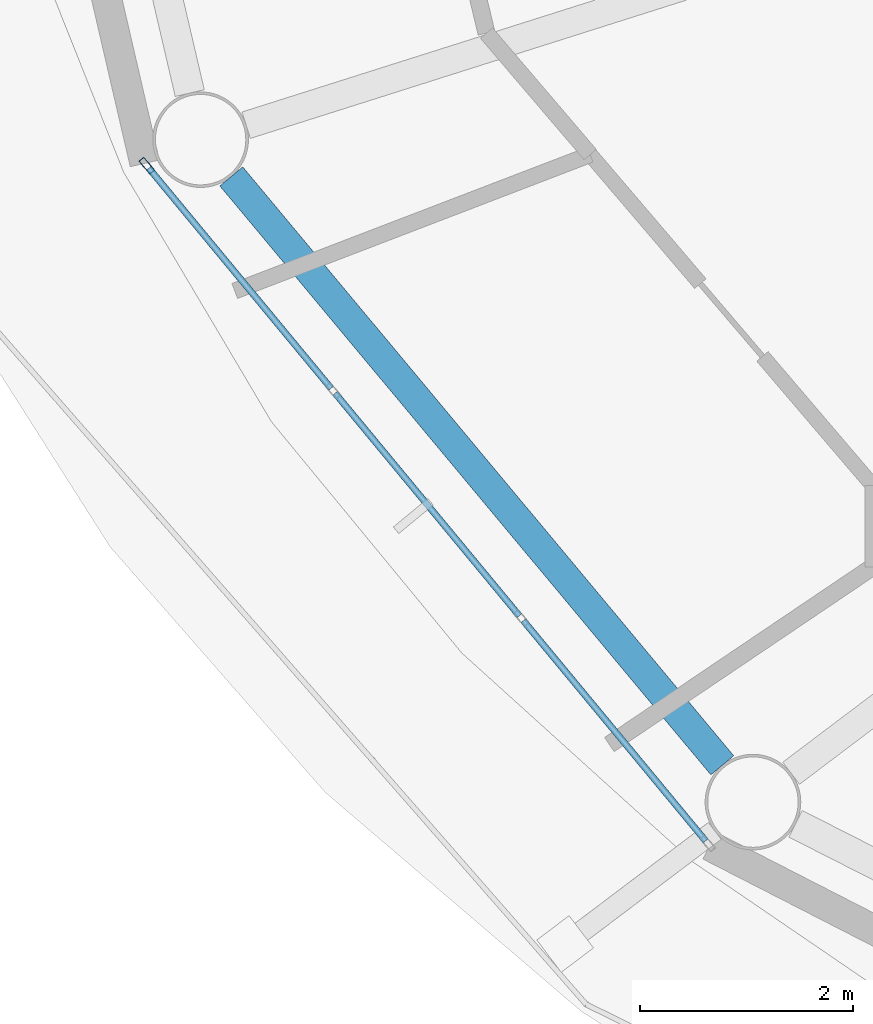
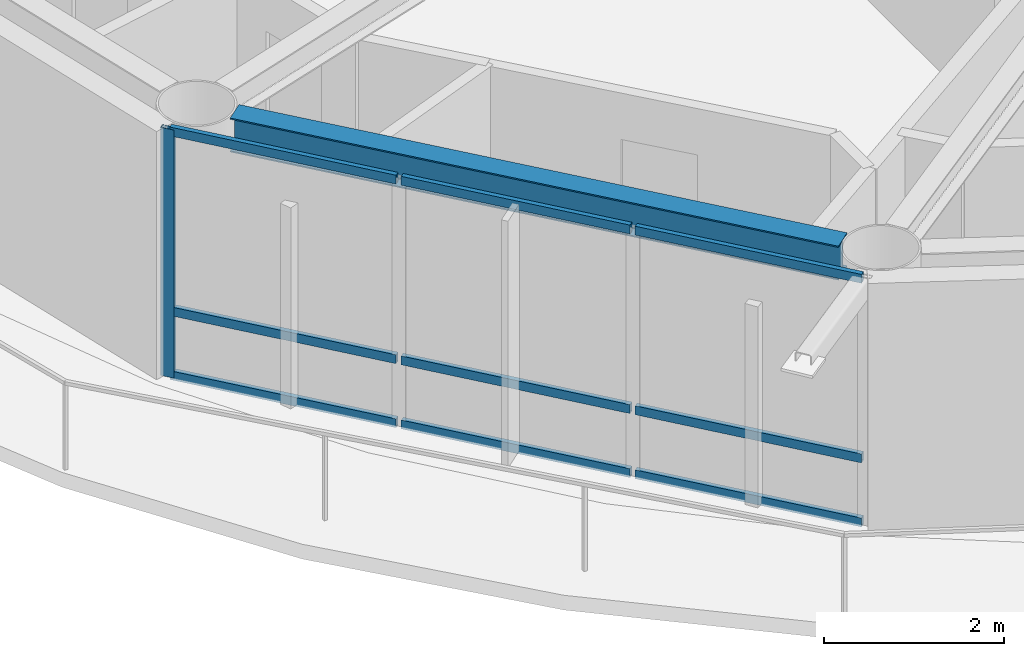
# One storey, part 3 of 22: 10 members, 1 beam, 1 element without a shape of its own.
"""IFC4 building model written with IfcOpenShell, lengths in metres."""

from ifc_helpers import new_model, si_unit, direction, frame, origin, origin_2d, place, context, subcontext, project, spatial, hollow_rectangle, i_section, extrude, material, layer, layer_set, material_profile, profile_set, type_object, element, aggregate, save


model = new_model("IFC4")

# Units and contexts
model_context = context("Model", 3, precision=1e-05, world=origin(), true_north=direction((0.0, 1.0)))
body_context = subcontext(model_context, "Body", "Model", "MODEL_VIEW")
ifc_project = project(units=[si_unit("LENGTHUNIT", "METRE"), si_unit("AREAUNIT", "SQUARE_METRE"), si_unit("VOLUMEUNIT", "CUBIC_METRE"), si_unit("PLANEANGLEUNIT", "RADIAN"), si_unit("MASSUNIT", "GRAM", prefix="KILO")], contexts=[model_context])

# Site, building, storey
site_placement = place(None, origin())
site = spatial("IfcSite", under=ifc_project, at=site_placement, CompositionType="ELEMENT")
building_placement = place(site_placement, origin())
building = spatial("IfcBuilding", under=site, at=building_placement, Name="Sarneth Arch Tower", CompositionType="ELEMENT")
storey_placement = place(building_placement, frame((0.0, 0.0, 294.60009765625)))
storey = spatial("IfcBuildingStorey", under=building, at=storey_placement, Name="L76", CompositionType="ELEMENT", Elevation=294.60009765625)

# Beam
ifc_material_1 = material(Name="Steel S355", Category="steel")
ifc_material_profile_1 = material_profile(ifc_material_1, i_section(OverallWidth=0.280029296875, OverallDepth=0.462890625, WebThickness=0.0107421875, FlangeThickness=0.017333984375, FilletRadius=0.01806640625, at=origin_2d()), Name="W460x113")
ifc_profile_set_1 = profile_set([ifc_material_profile_1], Name="Steel S355")
beam_type = type_object("IfcBeamType", Name="BM-RAD-460A", PredefinedType="BEAM", material=ifc_profile_set_1)
beam_placement = place(storey_placement, frame((25.119384765625, 34.306884765625, 3.138427734375), z_axis=(0.640390876881, -0.768049168222, 0.0), x_axis=(0.768049168222, 0.640390876881, 0.0)))
element("IfcBeam", 1, at=beam_placement, inside=storey, type_object=beam_type, Name="L76 Perimeter spandrel beam 10", PredefinedType="BEAM", context=body_context, shape_type="SweptSolid", body=[
    extrude(i_section(OverallWidth=0.280029296875, OverallDepth=0.462890625, WebThickness=0.0107421875, FlangeThickness=0.017333984375, FilletRadius=0.01806640625, at=origin_2d()), origin(), (0.0, 0.0, 1.0), 7.2099609375),
])

# Curtain wall, members
ifc_material_2 = material(Name="Anodised aluminium Type AA25 and solar-control low-e laminated IGU", Category="aluminium")
ifc_layer = layer(ifc_material_2, 0.179931640625)
ifc_layer_set = layer_set([ifc_layer], Name="Anodised aluminium Type AA25 and solar-control low-e laminated IGU")
curtain_wall_type = type_object("IfcCurtainWallType", Name="CW-RES-HIGH", PredefinedType="NOTDEFINED", material=ifc_layer_set)
curtain_wall_placement = place(storey_placement, origin())
curtain_wall = element("IfcCurtainWall", 2, at=curtain_wall_placement, inside=storey, type_object=curtain_wall_type, Name="L76 Unitised curtain wall facet 10", PredefinedType="NOTDEFINED")
ifc_material_3 = material(Name="Anodised Aluminium 6063-T6", Category="aluminium")
ifc_material_profile_2 = material_profile(ifc_material_3, hollow_rectangle(XDim=0.06005859375, YDim=0.159912109375, WallThickness=0.00390625, at=origin_2d()), Name="AL-MULL-160x60x4")
ifc_profile_set_2 = profile_set([ifc_material_profile_2], Name="Anodised Aluminium 6063-T6")
member_type_1 = type_object("IfcMemberType", Name="CW-MULLION", PredefinedType="MULLION", material=ifc_profile_set_2)
member_1_placement = place(storey_placement, frame((24.325439453125, 34.407470703125, 0.0), z_axis=(0.0, 0.0, 1.0), x_axis=(0.770359245933, 0.637610094184, 0.0)))
member_1 = element("IfcMember", 3, at=member_1_placement, type_object=member_type_1, Name="CW-SYS-6 mullion 1", PredefinedType="MULLION", context=body_context, shape_type="SweptSolid", body=[
    extrude(hollow_rectangle(XDim=0.06005859375, YDim=0.159912109375, WallThickness=0.00390625, at=origin_2d()), origin(), (0.0, 0.0, 1.0), 3.369873046875),
])
ifc_material_4 = material(Name="Anodised Aluminium 6063-T6", Category="aluminium")
ifc_material_profile_3 = material_profile(ifc_material_4, hollow_rectangle(XDim=0.06005859375, YDim=0.1201171875, WallThickness=0.00390625, at=origin_2d()), Name="AL-TRAN-120x60x4")
ifc_profile_set_3 = profile_set([ifc_material_profile_3], Name="Anodised Aluminium 6063-T6")
member_type_2 = type_object("IfcMemberType", Name="CW-TRANSOM", PredefinedType="USERDEFINED", material=ifc_profile_set_3)
member_2_placement = place(storey_placement, frame((24.344482421875, 34.38427734375, 0.02978515625), z_axis=(0.637651400067, -0.770325056059, 0.0), x_axis=(0.770325056059, 0.637651400067, 0.0)))
member_2 = element("IfcMember", 4, at=member_2_placement, type_object=member_type_2, Name="CW-SYS-6 transom 1.1", ObjectType="TRANSOM", PredefinedType="USERDEFINED", context=body_context, shape_type="SweptSolid", body=[
    extrude(hollow_rectangle(XDim=0.06005859375, YDim=0.1201171875, WallThickness=0.00390625, at=origin_2d()), origin(), (0.0, 0.0, 1.0), 2.6865234375),
])
member_3_placement = place(storey_placement, frame((24.344482421875, 34.38427734375, 0.89990234375), z_axis=(0.637651400067, -0.770325056059, 0.0), x_axis=(0.770325056059, 0.637651400067, 0.0)))
member_3 = element("IfcMember", 5, at=member_3_placement, type_object=member_type_2, Name="CW-SYS-6 transom 1.2", ObjectType="TRANSOM", PredefinedType="USERDEFINED", context=body_context, shape_type="SweptSolid", body=[
    extrude(hollow_rectangle(XDim=0.06005859375, YDim=0.1201171875, WallThickness=0.00390625, at=origin_2d()), origin(), (0.0, 0.0, 1.0), 2.6865234375),
])
member_4_placement = place(storey_placement, frame((24.344482421875, 34.38427734375, 3.33984375), z_axis=(0.637651400067, -0.770325056059, 0.0), x_axis=(0.770325056059, 0.637651400067, 0.0)))
member_4 = element("IfcMember", 6, at=member_4_placement, type_object=member_type_2, Name="CW-SYS-6 transom 1.3", ObjectType="TRANSOM", PredefinedType="USERDEFINED", context=body_context, shape_type="SweptSolid", body=[
    extrude(hollow_rectangle(XDim=0.06005859375, YDim=0.1201171875, WallThickness=0.00390625, at=origin_2d()), origin(), (0.0, 0.0, 1.0), 2.6865234375),
])
member_5_placement = place(storey_placement, frame((26.095703125, 32.268310546875, 0.02978515625), z_axis=(0.637617371902, -0.770353222261, 0.0), x_axis=(0.770353222261, 0.637617371902, 0.0)))
member_5 = element("IfcMember", 7, at=member_5_placement, type_object=member_type_2, Name="CW-SYS-6 transom 2.1", ObjectType="TRANSOM", PredefinedType="USERDEFINED", context=body_context, shape_type="SweptSolid", body=[
    extrude(hollow_rectangle(XDim=0.06005859375, YDim=0.1201171875, WallThickness=0.00390625, at=origin_2d()), origin(), (0.0, 0.0, 1.0), 2.716552734375),
])
member_6_placement = place(storey_placement, frame((26.095703125, 32.268310546875, 0.89990234375), z_axis=(0.637617371902, -0.770353222261, 0.0), x_axis=(0.770353222261, 0.637617371902, 0.0)))
member_6 = element("IfcMember", 8, at=member_6_placement, type_object=member_type_2, Name="CW-SYS-6 transom 2.2", ObjectType="TRANSOM", PredefinedType="USERDEFINED", context=body_context, shape_type="SweptSolid", body=[
    extrude(hollow_rectangle(XDim=0.06005859375, YDim=0.1201171875, WallThickness=0.00390625, at=origin_2d()), origin(), (0.0, 0.0, 1.0), 2.716552734375),
])
member_7_placement = place(storey_placement, frame((26.095703125, 32.268310546875, 3.33984375), z_axis=(0.637617371902, -0.770353222261, 0.0), x_axis=(0.770353222261, 0.637617371902, 0.0)))
member_7 = element("IfcMember", 9, at=member_7_placement, type_object=member_type_2, Name="CW-SYS-6 transom 2.3", ObjectType="TRANSOM", PredefinedType="USERDEFINED", context=body_context, shape_type="SweptSolid", body=[
    extrude(hollow_rectangle(XDim=0.06005859375, YDim=0.1201171875, WallThickness=0.00390625, at=origin_2d()), origin(), (0.0, 0.0, 1.0), 2.716552734375),
])
member_8_placement = place(storey_placement, frame((27.8662109375, 30.12939453125, 0.02978515625), z_axis=(0.637606765719, -0.770362000821, 0.0), x_axis=(0.770362000821, 0.637606765719, 0.0)))
member_8 = element("IfcMember", 10, at=member_8_placement, type_object=member_type_2, Name="CW-SYS-6 transom 3.1", ObjectType="TRANSOM", PredefinedType="USERDEFINED", context=body_context, shape_type="SweptSolid", body=[
    extrude(hollow_rectangle(XDim=0.06005859375, YDim=0.1201171875, WallThickness=0.00390625, at=origin_2d()), origin(), (0.0, 0.0, 1.0), 2.686767578125),
])
member_9_placement = place(storey_placement, frame((27.8662109375, 30.12939453125, 0.89990234375), z_axis=(0.637606765719, -0.770362000821, 0.0), x_axis=(0.770362000821, 0.637606765719, 0.0)))
member_9 = element("IfcMember", 11, at=member_9_placement, type_object=member_type_2, Name="CW-SYS-6 transom 3.2", ObjectType="TRANSOM", PredefinedType="USERDEFINED", context=body_context, shape_type="SweptSolid", body=[
    extrude(hollow_rectangle(XDim=0.06005859375, YDim=0.1201171875, WallThickness=0.00390625, at=origin_2d()), origin(), (0.0, 0.0, 1.0), 2.686767578125),
])
member_10_placement = place(storey_placement, frame((27.8662109375, 30.12939453125, 3.33984375), z_axis=(0.637606765719, -0.770362000821, 0.0), x_axis=(0.770362000821, 0.637606765719, 0.0)))
member_10 = element("IfcMember", 12, at=member_10_placement, type_object=member_type_2, Name="CW-SYS-6 transom 3.3", ObjectType="TRANSOM", PredefinedType="USERDEFINED", context=body_context, shape_type="SweptSolid", body=[
    extrude(hollow_rectangle(XDim=0.06005859375, YDim=0.1201171875, WallThickness=0.00390625, at=origin_2d()), origin(), (0.0, 0.0, 1.0), 2.686767578125),
])
aggregate(curtain_wall, [member_1, member_2, member_3, member_4, member_5, member_6, member_7, member_8, member_9, member_10])

save(model, "model.ifc")
